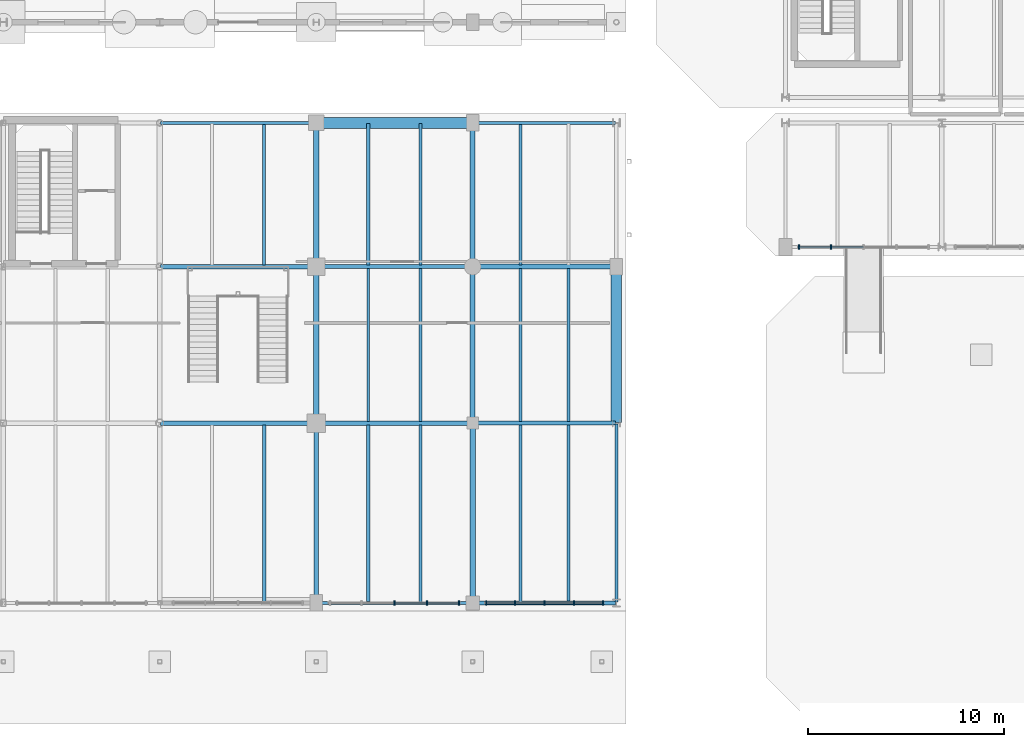
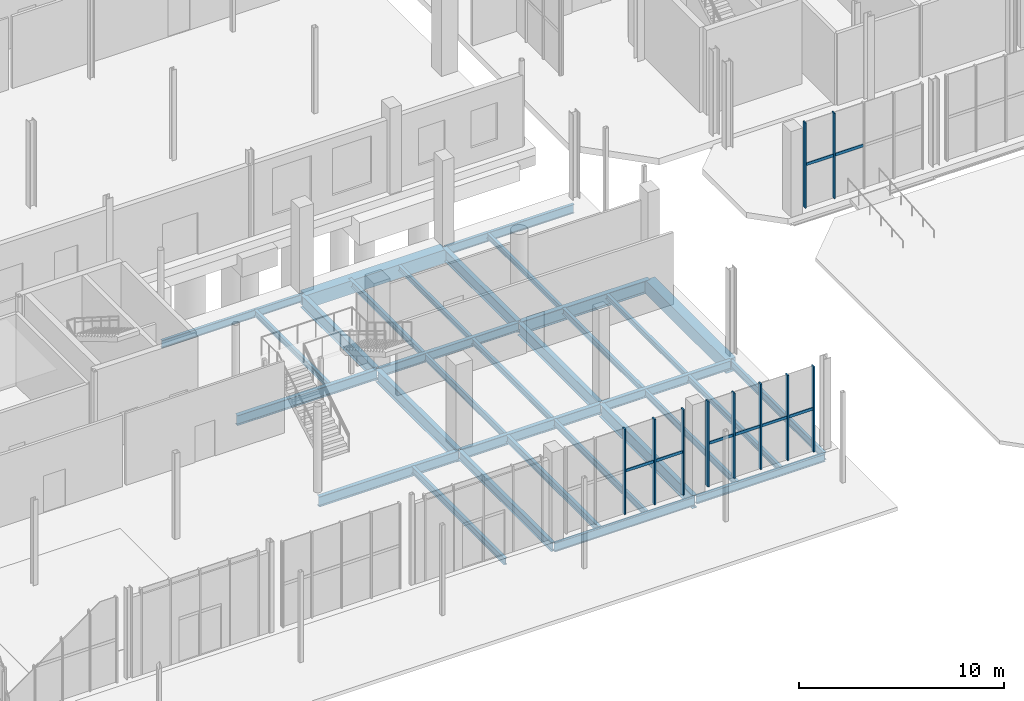
# One storey, part 36 of 87: 32 beams, 18 members, 3 elements without a shape of their own.
"""IFC4 building model written with IfcOpenShell, lengths in metres."""

from ifc_helpers import new_model, si_unit, direction, frame, origin, origin_2d, place, context, subcontext, project, spatial, rectangle, i_section, extrude, material, material_profile, profile_set, type_object, element, aggregate, save


model = new_model("IFC4")

# Units and contexts
model_context = context("Model", 3, precision=1e-05, world=origin(), true_north=direction((0.0, 1.0)))
body_context = subcontext(model_context, "Body", "Model", "MODEL_VIEW")
ifc_project = project(units=[si_unit("LENGTHUNIT", "METRE"), si_unit("AREAUNIT", "SQUARE_METRE"), si_unit("VOLUMEUNIT", "CUBIC_METRE"), si_unit("PLANEANGLEUNIT", "RADIAN"), si_unit("MASSUNIT", "GRAM", prefix="KILO")], contexts=[model_context])

# Site, building, storey
site_placement = place(None, origin())
site = spatial("IfcSite", under=ifc_project, at=site_placement, CompositionType="ELEMENT")
building_placement = place(site_placement, origin())
building = spatial("IfcBuilding", under=site, at=building_placement, Name="Brisemont Oceanarium", CompositionType="ELEMENT")
storey_placement = place(building_placement, origin())
storey = spatial("IfcBuildingStorey", under=building, at=storey_placement, Name="L00", CompositionType="ELEMENT", Elevation=0.0)

# Beams
ifc_material_1 = material(Name="Concrete C40/50", Category="concrete")
ifc_material_profile_1 = material_profile(ifc_material_1, rectangle(XDim=0.550048828125, YDim=0.800048828125, at=origin_2d()), Name="RC-BM-550X800")
ifc_profile_set_1 = profile_set([ifc_material_profile_1], Name="Concrete C40/50")
beam_type_1 = type_object("IfcBeamType", Name="BM-RC550X800", PredefinedType="SPANDREL", material=ifc_profile_set_1)
for number, where, z_axis, x_axis, name in (
    (1, (40.0400390625, 31.35009765625, -0.739990234375), (1.0, 0.0, 0.0), (0.0, 1.0, 0.0), "V2 L00 EW girder"),
    (2, (55.35009765625, 16.0400390625, -0.739990234375), (0.0, 1.0, 0.0), (-1.0, 0.0, 0.0), "V2 L00 NS girder"),
):
    element("IfcBeam", number, at=place(storey_placement, frame(where, z_axis=z_axis, x_axis=x_axis)), inside=storey, type_object=beam_type_1, Name=name, PredefinedType="SPANDREL", context=body_context, shape_type="SweptSolid", body=[
        extrude(rectangle(XDim=0.550048828125, YDim=0.800048828125, at=origin_2d()), origin(), (0.0, 0.0, 1.0), 7.919921875),
    ])
ifc_material_2 = material(Name="Structural Steel ASTM A992 Gr.50", Category="steel")
ifc_material_profile_2 = material_profile(ifc_material_2, i_section(OverallWidth=0.1650390625, OverallDepth=0.31005859375, WebThickness=0.005859375, FlangeThickness=0.009765625, FilletRadius=0.008056640625, at=origin_2d()), Name="W12X26")
ifc_profile_set_2 = profile_set([ifc_material_profile_2], Name="Structural Steel ASTM A992 Gr.50")
beam_type_2 = type_object("IfcBeamType", Name="BM-W12X26", PredefinedType="JOIST", material=ifc_profile_set_2)
beam_1_placement = place(storey_placement, frame((45.333251953125, 24.090087890625, -0.4951171875), z_axis=(0.0, 1.0, 0.0), x_axis=(-1.0, 0.0, 0.0)))
element("IfcBeam", 3, at=beam_1_placement, inside=storey, type_object=beam_type_2, Name="V2 L00 secondary floor beam", PredefinedType="JOIST", context=body_context, shape_type="SweptSolid", body=[
    extrude(i_section(OverallWidth=0.1650390625, OverallDepth=0.31005859375, WebThickness=0.005859375, FlangeThickness=0.009765625, FilletRadius=0.008056640625, at=origin_2d()), origin(), (0.0, 0.0, 1.0), 7.219970703125),
])
beam_2_placement = place(storey_placement, frame((52.89990234375, 16.090087890625, -0.4951171875), z_axis=(0.0, 1.0, 0.0), x_axis=(-1.0, 0.0, 0.0)))
element("IfcBeam", 4, at=beam_2_placement, inside=storey, type_object=beam_type_2, Name="V2 L00 secondary floor beam", PredefinedType="JOIST", context=body_context, shape_type="SweptSolid", body=[
    extrude(i_section(OverallWidth=0.1650390625, OverallDepth=0.31005859375, WebThickness=0.005859375, FlangeThickness=0.009765625, FilletRadius=0.008056640625, at=origin_2d()), origin(), (0.0, 0.0, 1.0), 7.81982421875),
])
beam_3_placement = place(storey_placement, frame((50.449951171875, 24.090087890625, -0.4951171875), z_axis=(0.0, 1.0, 0.0), x_axis=(-1.0, 0.0, 0.0)))
element("IfcBeam", 5, at=beam_3_placement, inside=storey, type_object=beam_type_2, Name="V2 L00 secondary floor beam", PredefinedType="JOIST", context=body_context, shape_type="SweptSolid", body=[
    extrude(i_section(OverallWidth=0.1650390625, OverallDepth=0.31005859375, WebThickness=0.005859375, FlangeThickness=0.009765625, FilletRadius=0.008056640625, at=origin_2d()), origin(), (0.0, 0.0, 1.0), 7.219970703125),
])
ifc_material_3 = material(Name="Structural Steel ASTM A992 Gr.50", Category="steel")
ifc_material_profile_3 = material_profile(ifc_material_3, i_section(OverallWidth=0.1708984375, OverallDepth=0.35107421875, WebThickness=0.0068359375, FlangeThickness=0.009765625, FilletRadius=0.010009765625, at=origin_2d()), Name="W14X30")
ifc_profile_set_3 = profile_set([ifc_material_profile_3], Name="Structural Steel ASTM A992 Gr.50")
beam_type_3 = type_object("IfcBeamType", Name="BM-W14X30", PredefinedType="JOIST", material=ifc_profile_set_3)
beam_4_placement = place(storey_placement, frame((37.333251953125, 24.090087890625, -0.515380859375), z_axis=(0.0, 1.0, 0.0), x_axis=(-1.0, 0.0, 0.0)))
element("IfcBeam", 6, at=beam_4_placement, inside=storey, type_object=beam_type_3, Name="V2 L00 secondary floor beam", PredefinedType="JOIST", context=body_context, shape_type="SweptSolid", body=[
    extrude(i_section(OverallWidth=0.1708984375, OverallDepth=0.35107421875, WebThickness=0.0068359375, FlangeThickness=0.009765625, FilletRadius=0.010009765625, at=origin_2d()), origin(), (0.0, 0.0, 1.0), 7.219970703125),
])
beam_5_placement = place(storey_placement, frame((45.333251953125, 16.090087890625, -0.515380859375), z_axis=(0.0, 1.0, 0.0), x_axis=(-1.0, 0.0, 0.0)))
element("IfcBeam", 7, at=beam_5_placement, inside=storey, type_object=beam_type_3, Name="V2 L00 secondary floor beam", PredefinedType="JOIST", context=body_context, shape_type="SweptSolid", body=[
    extrude(i_section(OverallWidth=0.1708984375, OverallDepth=0.35107421875, WebThickness=0.0068359375, FlangeThickness=0.009765625, FilletRadius=0.010009765625, at=origin_2d()), origin(), (0.0, 0.0, 1.0), 7.81982421875),
])
beam_6_placement = place(storey_placement, frame((42.666748046875, 24.090087890625, -0.515380859375), z_axis=(0.0, 1.0, 0.0), x_axis=(-1.0, 0.0, 0.0)))
element("IfcBeam", 8, at=beam_6_placement, inside=storey, type_object=beam_type_3, Name="V2 L00 secondary floor beam", PredefinedType="JOIST", context=body_context, shape_type="SweptSolid", body=[
    extrude(i_section(OverallWidth=0.1708984375, OverallDepth=0.35107421875, WebThickness=0.0068359375, FlangeThickness=0.009765625, FilletRadius=0.010009765625, at=origin_2d()), origin(), (0.0, 0.0, 1.0), 7.219970703125),
])
beam_7_placement = place(storey_placement, frame((52.89990234375, 6.840087890625, -0.515380859375), z_axis=(0.0, 1.0, 0.0), x_axis=(-1.0, 0.0, 0.0)))
element("IfcBeam", 9, at=beam_7_placement, inside=storey, type_object=beam_type_3, Name="V2 L00 secondary floor beam", PredefinedType="JOIST", context=body_context, shape_type="SweptSolid", body=[
    extrude(i_section(OverallWidth=0.1708984375, OverallDepth=0.35107421875, WebThickness=0.0068359375, FlangeThickness=0.009765625, FilletRadius=0.010009765625, at=origin_2d()), origin(), (0.0, 0.0, 1.0), 9.06982421875),
])
beam_8_placement = place(storey_placement, frame((50.449951171875, 16.090087890625, -0.515380859375), z_axis=(0.0, 1.0, 0.0), x_axis=(-1.0, 0.0, 0.0)))
element("IfcBeam", 10, at=beam_8_placement, inside=storey, type_object=beam_type_3, Name="V2 L00 secondary floor beam", PredefinedType="JOIST", context=body_context, shape_type="SweptSolid", body=[
    extrude(i_section(OverallWidth=0.1708984375, OverallDepth=0.35107421875, WebThickness=0.0068359375, FlangeThickness=0.009765625, FilletRadius=0.010009765625, at=origin_2d()), origin(), (0.0, 0.0, 1.0), 7.81982421875),
])
ifc_material_4 = material(Name="Structural Steel ASTM A992 Gr.50", Category="steel")
ifc_material_profile_4 = material_profile(ifc_material_4, i_section(OverallWidth=0.139892578125, OverallDepth=0.39892578125, WebThickness=0.00634765625, FlangeThickness=0.0087890625, FilletRadius=0.010009765625, at=origin_2d()), Name="W16X26")
ifc_profile_set_4 = profile_set([ifc_material_profile_4], Name="Structural Steel ASTM A992 Gr.50")
beam_type_4 = type_object("IfcBeamType", Name="BM-W16X26", PredefinedType="JOIST", material=ifc_profile_set_4)
beam_9_placement = place(storey_placement, frame((45.333251953125, 6.840087890625, -0.53955078125), z_axis=(0.0, 1.0, 0.0), x_axis=(-1.0, 0.0, 0.0)))
element("IfcBeam", 11, at=beam_9_placement, inside=storey, type_object=beam_type_4, Name="V2 L00 secondary floor beam", PredefinedType="JOIST", context=body_context, shape_type="SweptSolid", body=[
    extrude(i_section(OverallWidth=0.139892578125, OverallDepth=0.39892578125, WebThickness=0.00634765625, FlangeThickness=0.0087890625, FilletRadius=0.010009765625, at=origin_2d()), origin(), (0.0, 0.0, 1.0), 9.06982421875),
])
beam_10_placement = place(storey_placement, frame((42.666748046875, 16.090087890625, -0.53955078125), z_axis=(0.0, 1.0, 0.0), x_axis=(-1.0, 0.0, 0.0)))
element("IfcBeam", 12, at=beam_10_placement, inside=storey, type_object=beam_type_4, Name="V2 L00 secondary floor beam", PredefinedType="JOIST", context=body_context, shape_type="SweptSolid", body=[
    extrude(i_section(OverallWidth=0.139892578125, OverallDepth=0.39892578125, WebThickness=0.00634765625, FlangeThickness=0.0087890625, FilletRadius=0.010009765625, at=origin_2d()), origin(), (0.0, 0.0, 1.0), 7.81982421875),
])
beam_11_placement = place(storey_placement, frame((50.449951171875, 6.840087890625, -0.53955078125), z_axis=(0.0, 1.0, 0.0), x_axis=(-1.0, 0.0, 0.0)))
element("IfcBeam", 13, at=beam_11_placement, inside=storey, type_object=beam_type_4, Name="V2 L00 secondary floor beam", PredefinedType="JOIST", context=body_context, shape_type="SweptSolid", body=[
    extrude(i_section(OverallWidth=0.139892578125, OverallDepth=0.39892578125, WebThickness=0.00634765625, FlangeThickness=0.0087890625, FilletRadius=0.010009765625, at=origin_2d()), origin(), (0.0, 0.0, 1.0), 9.06982421875),
])
ifc_material_5 = material(Name="Structural Steel ASTM A992 Gr.50", Category="steel")
ifc_material_profile_5 = material_profile(ifc_material_5, i_section(OverallWidth=0.177978515625, OverallDepth=0.404052734375, WebThickness=0.007568359375, FlangeThickness=0.010986328125, FilletRadius=0.010009765625, at=origin_2d()), Name="W16X36")
ifc_profile_set_5 = profile_set([ifc_material_profile_5], Name="Structural Steel ASTM A992 Gr.50")
beam_type_5 = type_object("IfcBeamType", Name="BM-W16X36", PredefinedType="JOIST", material=ifc_profile_set_5)
for number, where, z_axis, x_axis, name in (
    (14, (37.333251953125, 6.840087890625, -0.5419921875), (0.0, 1.0, 0.0), (-1.0, 0.0, 0.0), "V2 L00 secondary floor beam"),
    (15, (42.666748046875, 6.840087890625, -0.5419921875), (0.0, 1.0, 0.0), (-1.0, 0.0, 0.0), "V2 L00 secondary floor beam"),
):
    element("IfcBeam", number, at=place(storey_placement, frame(where, z_axis=z_axis, x_axis=x_axis)), inside=storey, type_object=beam_type_5, Name=name, PredefinedType="JOIST", context=body_context, shape_type="SweptSolid", body=[
        extrude(i_section(OverallWidth=0.177978515625, OverallDepth=0.404052734375, WebThickness=0.007568359375, FlangeThickness=0.010986328125, FilletRadius=0.010009765625, at=origin_2d()), origin(), (0.0, 0.0, 1.0), 9.06982421875),
    ])
ifc_material_6 = material(Name="Structural Steel ASTM A992 Gr.50", Category="steel")
ifc_material_profile_6 = material_profile(ifc_material_6, i_section(OverallWidth=0.154052734375, OverallDepth=0.458984375, WebThickness=0.009033203125, FlangeThickness=0.015380859375, FilletRadius=0.010986328125, at=origin_2d()), Name="W18X46")
ifc_profile_set_6 = profile_set([ifc_material_profile_6], Name="Structural Steel ASTM A992 Gr.50")
beam_type_6 = type_object("IfcBeamType", Name="BM-W18X46", PredefinedType="SPANDREL", material=ifc_profile_set_6)
beam_12_placement = place(storey_placement, frame((32.0400390625, 31.35009765625, -0.569580078125), z_axis=(1.0, 0.0, 0.0), x_axis=(0.0, 1.0, 0.0)))
element("IfcBeam", 16, at=beam_12_placement, inside=storey, type_object=beam_type_6, Name="V2 L00 EW girder", PredefinedType="SPANDREL", context=body_context, shape_type="SweptSolid", body=[
    extrude(i_section(OverallWidth=0.154052734375, OverallDepth=0.458984375, WebThickness=0.009033203125, FlangeThickness=0.015380859375, FilletRadius=0.010986328125, at=origin_2d()), origin(), (0.0, 0.0, 1.0), 7.919921875),
])
beam_13_placement = place(storey_placement, frame((55.35009765625, 6.840087890625, -0.569580078125), z_axis=(0.0, 1.0, 0.0), x_axis=(-1.0, 0.0, 0.0)))
element("IfcBeam", 17, at=beam_13_placement, inside=storey, type_object=beam_type_6, Name="V2 L00 NS girder", PredefinedType="SPANDREL", context=body_context, shape_type="SweptSolid", body=[
    extrude(i_section(OverallWidth=0.154052734375, OverallDepth=0.458984375, WebThickness=0.009033203125, FlangeThickness=0.015380859375, FilletRadius=0.010986328125, at=origin_2d()), origin(), (0.0, 0.0, 1.0), 9.119873046875),
])
ifc_material_7 = material(Name="Structural Steel ASTM A992 Gr.50", Category="steel")
ifc_material_profile_7 = material_profile(ifc_material_7, i_section(OverallWidth=0.19091796875, OverallDepth=0.4599609375, WebThickness=0.010009765625, FlangeThickness=0.01611328125, FilletRadius=0.010986328125, at=origin_2d()), Name="W18X55")
ifc_profile_set_7 = profile_set([ifc_material_profile_7], Name="Structural Steel ASTM A992 Gr.50")
beam_type_7 = type_object("IfcBeamType", Name="BM-W18X55", PredefinedType="SPANDREL", material=ifc_profile_set_7)
beam_14_placement = place(storey_placement, frame((48.0400390625, 6.800048828125, -0.570068359375), z_axis=(1.0, 0.0, 0.0), x_axis=(0.0, 1.0, 0.0)))
element("IfcBeam", 18, at=beam_14_placement, inside=storey, type_object=beam_type_7, Name="V2 L00 EW girder", PredefinedType="SPANDREL", context=body_context, shape_type="SweptSolid", body=[
    extrude(i_section(OverallWidth=0.19091796875, OverallDepth=0.4599609375, WebThickness=0.010009765625, FlangeThickness=0.01611328125, FilletRadius=0.010986328125, at=origin_2d()), origin(), (0.0, 0.0, 1.0), 7.27001953125),
])
ifc_material_8 = material(Name="Structural Steel ASTM A992 Gr.50", Category="steel")
ifc_material_profile_8 = material_profile(ifc_material_8, i_section(OverallWidth=0.166015625, OverallDepth=0.528076171875, WebThickness=0.009765625, FlangeThickness=0.013671875, FilletRadius=0.012939453125, at=origin_2d()), Name="W21X50")
ifc_profile_set_8 = profile_set([ifc_material_profile_8], Name="Structural Steel ASTM A992 Gr.50")
beam_type_8 = type_object("IfcBeamType", Name="BM-W21X50", PredefinedType="SPANDREL", material=ifc_profile_set_8)
beam_15_placement = place(storey_placement, frame((40.0400390625, 6.800048828125, -0.60400390625), z_axis=(1.0, 0.0, 0.0), x_axis=(0.0, 1.0, 0.0)))
element("IfcBeam", 19, at=beam_15_placement, inside=storey, type_object=beam_type_8, Name="V2 L00 EW girder", PredefinedType="SPANDREL", context=body_context, shape_type="SweptSolid", body=[
    extrude(i_section(OverallWidth=0.166015625, OverallDepth=0.528076171875, WebThickness=0.009765625, FlangeThickness=0.013671875, FilletRadius=0.012939453125, at=origin_2d()), origin(), (0.0, 0.0, 1.0), 7.919921875),
])
beam_16_placement = place(storey_placement, frame((48.0400390625, 31.35009765625, -0.60400390625), z_axis=(1.0, 0.0, 0.0), x_axis=(0.0, 1.0, 0.0)))
element("IfcBeam", 20, at=beam_16_placement, inside=storey, type_object=beam_type_8, Name="V2 L00 EW girder", PredefinedType="SPANDREL", context=body_context, shape_type="SweptSolid", body=[
    extrude(i_section(OverallWidth=0.166015625, OverallDepth=0.528076171875, WebThickness=0.009765625, FlangeThickness=0.013671875, FilletRadius=0.012939453125, at=origin_2d()), origin(), (0.0, 0.0, 1.0), 7.27001953125),
])
ifc_material_9 = material(Name="Structural Steel ASTM A992 Gr.50", Category="steel")
ifc_material_profile_9 = material_profile(ifc_material_9, i_section(OverallWidth=0.2099609375, OverallDepth=0.532958984375, WebThickness=0.01025390625, FlangeThickness=0.015625, FilletRadius=0.012939453125, at=origin_2d()), Name="W21X62")
ifc_profile_set_9 = profile_set([ifc_material_profile_9], Name="Structural Steel ASTM A992 Gr.50")
beam_type_9 = type_object("IfcBeamType", Name="BM-W21X62", PredefinedType="BEAM", material=ifc_profile_set_9)
beam_17_placement = place(storey_placement, frame((48.0400390625, 16.0, -0.6064453125), z_axis=(1.0, 0.0, 0.0), x_axis=(0.0, 1.0, 0.0)))
element("IfcBeam", 21, at=beam_17_placement, inside=storey, type_object=beam_type_9, Name="V2 L00 EW girder", PredefinedType="BEAM", context=body_context, shape_type="SweptSolid", body=[
    extrude(i_section(OverallWidth=0.2099609375, OverallDepth=0.532958984375, WebThickness=0.01025390625, FlangeThickness=0.015625, FilletRadius=0.012939453125, at=origin_2d()), origin(), (0.0, 0.0, 1.0), 7.27001953125),
])
beam_18_placement = place(storey_placement, frame((40.0400390625, 24.0, -0.6064453125), z_axis=(1.0, 0.0, 0.0), x_axis=(0.0, 1.0, 0.0)))
element("IfcBeam", 22, at=beam_18_placement, inside=storey, type_object=beam_type_9, Name="V2 L00 EW girder", PredefinedType="BEAM", context=body_context, shape_type="SweptSolid", body=[
    extrude(i_section(OverallWidth=0.2099609375, OverallDepth=0.532958984375, WebThickness=0.01025390625, FlangeThickness=0.015625, FilletRadius=0.012939453125, at=origin_2d()), origin(), (0.0, 0.0, 1.0), 7.919921875),
])
beam_19_placement = place(storey_placement, frame((40.0, 6.840087890625, -0.6064453125), z_axis=(0.0, 1.0, 0.0), x_axis=(-1.0, 0.0, 0.0)))
element("IfcBeam", 23, at=beam_19_placement, inside=storey, type_object=beam_type_9, Name="V2 L00 NS girder", PredefinedType="BEAM", context=body_context, shape_type="SweptSolid", body=[
    extrude(i_section(OverallWidth=0.2099609375, OverallDepth=0.532958984375, WebThickness=0.01025390625, FlangeThickness=0.015625, FilletRadius=0.012939453125, at=origin_2d()), origin(), (0.0, 0.0, 1.0), 9.119873046875),
])
ifc_material_10 = material(Name="Structural Steel ASTM A992 Gr.50", Category="steel")
ifc_material_profile_10 = material_profile(ifc_material_10, i_section(OverallWidth=0.22802734375, OverallDepth=0.60205078125, WebThickness=0.010498046875, FlangeThickness=0.014892578125, FilletRadius=0.012939453125, at=origin_2d()), Name="W24X68")
ifc_profile_set_10 = profile_set([ifc_material_profile_10], Name="Structural Steel ASTM A992 Gr.50")
beam_type_10 = type_object("IfcBeamType", Name="BM-W24X68", PredefinedType="BEAM", material=ifc_profile_set_10)
for number, where, z_axis, x_axis, name in (
    (24, (40.0400390625, 16.0, -0.64111328125), (1.0, 0.0, 0.0), (0.0, 1.0, 0.0), "V2 L00 EW girder"),
    (25, (32.0400390625, 24.0, -0.64111328125), (1.0, 0.0, 0.0), (0.0, 1.0, 0.0), "V2 L00 EW girder"),
):
    element("IfcBeam", number, at=place(storey_placement, frame(where, z_axis=z_axis, x_axis=x_axis)), inside=storey, type_object=beam_type_10, Name=name, PredefinedType="BEAM", context=body_context, shape_type="SweptSolid", body=[
        extrude(i_section(OverallWidth=0.22802734375, OverallDepth=0.60205078125, WebThickness=0.010498046875, FlangeThickness=0.014892578125, FilletRadius=0.012939453125, at=origin_2d()), origin(), (0.0, 0.0, 1.0), 7.919921875),
    ])
ifc_material_11 = material(Name="Structural Steel ASTM A992 Gr.50", Category="steel")
ifc_material_profile_11 = material_profile(ifc_material_11, i_section(OverallWidth=0.22802734375, OverallDepth=0.60791015625, WebThickness=0.01123046875, FlangeThickness=0.017333984375, FilletRadius=0.012939453125, at=origin_2d()), Name="W24X76")
ifc_profile_set_11 = profile_set([ifc_material_profile_11], Name="Structural Steel ASTM A992 Gr.50")
beam_type_11 = type_object("IfcBeamType", Name="BM-W24X76", PredefinedType="BEAM", material=ifc_profile_set_11)
beam_20_placement = place(storey_placement, frame((32.0400390625, 16.0, -0.64404296875), z_axis=(1.0, 0.0, 0.0), x_axis=(0.0, 1.0, 0.0)))
element("IfcBeam", 26, at=beam_20_placement, inside=storey, type_object=beam_type_11, Name="V2 L00 EW girder", PredefinedType="BEAM", context=body_context, shape_type="SweptSolid", body=[
    extrude(i_section(OverallWidth=0.22802734375, OverallDepth=0.60791015625, WebThickness=0.01123046875, FlangeThickness=0.017333984375, FilletRadius=0.012939453125, at=origin_2d()), origin(), (0.0, 0.0, 1.0), 7.919921875),
])
ifc_material_12 = material(Name="Structural Steel ASTM A992 Gr.50", Category="steel")
ifc_material_profile_12 = material_profile(ifc_material_12, i_section(OverallWidth=0.25390625, OverallDepth=0.68310546875, WebThickness=0.012451171875, FlangeThickness=0.018798828125, FilletRadius=0.014892578125, at=origin_2d()), Name="W27X94")
ifc_profile_set_12 = profile_set([ifc_material_profile_12], Name="Structural Steel ASTM A992 Gr.50")
beam_type_12 = type_object("IfcBeamType", Name="BM-W27X94", PredefinedType="BEAM", material=ifc_profile_set_12)
beam_21_placement = place(storey_placement, frame((48.0, 24.0400390625, -0.681396484375), z_axis=(0.0, 1.0, 0.0), x_axis=(-1.0, 0.0, 0.0)))
element("IfcBeam", 27, at=beam_21_placement, inside=storey, type_object=beam_type_12, Name="V2 L00 NS girder", PredefinedType="BEAM", context=body_context, shape_type="SweptSolid", body=[
    extrude(i_section(OverallWidth=0.25390625, OverallDepth=0.68310546875, WebThickness=0.012451171875, FlangeThickness=0.018798828125, FilletRadius=0.014892578125, at=origin_2d()), origin(), (0.0, 0.0, 1.0), 7.27001953125),
])
ifc_material_13 = material(Name="Structural Steel ASTM A992 Gr.50", Category="steel")
ifc_material_profile_13 = material_profile(ifc_material_13, i_section(OverallWidth=0.26708984375, OverallDepth=0.761962890625, WebThickness=0.014404296875, FlangeThickness=0.021484375, FilletRadius=0.01611328125, at=origin_2d()), Name="W30X116")
ifc_profile_set_13 = profile_set([ifc_material_profile_13], Name="Structural Steel ASTM A992 Gr.50")
beam_type_13 = type_object("IfcBeamType", Name="BM-W30X116", PredefinedType="BEAM", material=ifc_profile_set_13)
beam_22_placement = place(storey_placement, frame((48.0400390625, 24.0, -0.720947265625), z_axis=(1.0, 0.0, 0.0), x_axis=(0.0, 1.0, 0.0)))
element("IfcBeam", 28, at=beam_22_placement, inside=storey, type_object=beam_type_13, Name="V2 L00 EW girder", PredefinedType="BEAM", context=body_context, shape_type="SweptSolid", body=[
    extrude(i_section(OverallWidth=0.26708984375, OverallDepth=0.761962890625, WebThickness=0.014404296875, FlangeThickness=0.021484375, FilletRadius=0.01611328125, at=origin_2d()), origin(), (0.0, 0.0, 1.0), 7.27001953125),
])
beam_23_placement = place(storey_placement, frame((40.0, 16.0400390625, -0.720947265625), z_axis=(0.0, 1.0, 0.0), x_axis=(-1.0, 0.0, 0.0)))
element("IfcBeam", 29, at=beam_23_placement, inside=storey, type_object=beam_type_13, Name="V2 L00 NS girder", PredefinedType="BEAM", context=body_context, shape_type="SweptSolid", body=[
    extrude(i_section(OverallWidth=0.26708984375, OverallDepth=0.761962890625, WebThickness=0.014404296875, FlangeThickness=0.021484375, FilletRadius=0.01611328125, at=origin_2d()), origin(), (0.0, 0.0, 1.0), 7.919921875),
])
beam_24_placement = place(storey_placement, frame((48.0, 6.840087890625, -0.720947265625), z_axis=(0.0, 1.0, 0.0), x_axis=(-1.0, 0.0, 0.0)))
element("IfcBeam", 30, at=beam_24_placement, inside=storey, type_object=beam_type_13, Name="V2 L00 NS girder", PredefinedType="BEAM", context=body_context, shape_type="SweptSolid", body=[
    extrude(i_section(OverallWidth=0.26708984375, OverallDepth=0.761962890625, WebThickness=0.014404296875, FlangeThickness=0.021484375, FilletRadius=0.01611328125, at=origin_2d()), origin(), (0.0, 0.0, 1.0), 9.119873046875),
])
ifc_material_14 = material(Name="Structural Steel ASTM A992 Gr.50", Category="steel")
ifc_material_profile_14 = material_profile(ifc_material_14, i_section(OverallWidth=0.264892578125, OverallDepth=0.7529296875, WebThickness=0.01318359375, FlangeThickness=0.01708984375, FilletRadius=0.01611328125, at=origin_2d()), Name="W30X99")
ifc_profile_set_14 = profile_set([ifc_material_profile_14], Name="Structural Steel ASTM A992 Gr.50")
beam_type_14 = type_object("IfcBeamType", Name="BM-W30X99", PredefinedType="BEAM", material=ifc_profile_set_14)
beam_25_placement = place(storey_placement, frame((40.0, 24.0400390625, -0.716552734375), z_axis=(0.0, 1.0, 0.0), x_axis=(-1.0, 0.0, 0.0)))
element("IfcBeam", 31, at=beam_25_placement, inside=storey, type_object=beam_type_14, Name="V2 L00 NS girder", PredefinedType="BEAM", context=body_context, shape_type="SweptSolid", body=[
    extrude(i_section(OverallWidth=0.264892578125, OverallDepth=0.7529296875, WebThickness=0.01318359375, FlangeThickness=0.01708984375, FilletRadius=0.01611328125, at=origin_2d()), origin(), (0.0, 0.0, 1.0), 7.27001953125),
])
beam_26_placement = place(storey_placement, frame((48.0, 16.0400390625, -0.716552734375), z_axis=(0.0, 1.0, 0.0), x_axis=(-1.0, 0.0, 0.0)))
element("IfcBeam", 32, at=beam_26_placement, inside=storey, type_object=beam_type_14, Name="V2 L00 NS girder", PredefinedType="BEAM", context=body_context, shape_type="SweptSolid", body=[
    extrude(i_section(OverallWidth=0.264892578125, OverallDepth=0.7529296875, WebThickness=0.01318359375, FlangeThickness=0.01708984375, FilletRadius=0.01611328125, at=origin_2d()), origin(), (0.0, 0.0, 1.0), 7.919921875),
])

# Curtain wall, members
ifc_material_15 = material(Name="Anodized Extruded Aluminum 6063-T6", Category="aluminium")
curtain_wall_type_1 = type_object("IfcCurtainWallType", Name="CW-POR-69X50", PredefinedType="NOTDEFINED", material=ifc_material_15)
curtain_wall_1_placement = place(storey_placement, origin())
curtain_wall_1 = element("IfcCurtainWall", 33, at=curtain_wall_1_placement, inside=storey, type_object=curtain_wall_type_1, Name="CW-19 curtain wall CW-V1P-S-L00-01", PredefinedType="NOTDEFINED")
ifc_material_16 = material(Name="Anodized Extruded Aluminum 6063-T6", Category="aluminium")
ifc_material_profile_15 = material_profile(ifc_material_16, rectangle(XDim=0.074951171875, YDim=0.219970703125, at=origin_2d()), Name="CWM-75X220")
ifc_profile_set_15 = profile_set([ifc_material_profile_15], Name="Anodized Extruded Aluminum 6063-T6")
member_type_1 = type_object("IfcMemberType", Name="MEM-CWM-75", PredefinedType="MULLION", material=ifc_profile_set_15)
member_1_placement = place(storey_placement, frame((64.695068359375, 25.0, 0.0), z_axis=(0.0, 0.0, 1.0), x_axis=(1.0, 0.0, 0.0)))
member_1 = element("IfcMember", 34, at=member_1_placement, type_object=member_type_1, Name="CW-V1P-S-L00-01 mullion 1", PredefinedType="MULLION", context=body_context, shape_type="SweptSolid", body=[
    extrude(rectangle(XDim=0.074951171875, YDim=0.219970703125, at=origin_2d()), origin(), (0.0, 0.0, 1.0), 5.10009765625),
])
member_2_placement = place(storey_placement, frame((66.324951171875, 25.0, 0.0), z_axis=(0.0, 0.0, 1.0), x_axis=(1.0, 0.0, 0.0)))
member_2 = element("IfcMember", 35, at=member_2_placement, type_object=member_type_1, Name="CW-V1P-S-L00-01 mullion 2", PredefinedType="MULLION", context=body_context, shape_type="SweptSolid", body=[
    extrude(rectangle(XDim=0.074951171875, YDim=0.219970703125, at=origin_2d()), origin(), (0.0, 0.0, 1.0), 5.10009765625),
])

ifc_material_17 = material(Name="Anodized Extruded Aluminum 6063-T6", Category="aluminium")
curtain_wall_type_2 = type_object("IfcCurtainWallType", Name="CW-HALL-69X50", PredefinedType="NOTDEFINED", material=ifc_material_17)
curtain_wall_2_placement = place(storey_placement, origin())
curtain_wall_2 = element("IfcCurtainWall", 36, at=curtain_wall_2_placement, inside=storey, type_object=curtain_wall_type_2, Name="CW-04 curtain wall CW-V2-S-L00-05", PredefinedType="NOTDEFINED")
member_3_placement = place(storey_placement, frame((44.0, 6.800048828125, 0.0), z_axis=(0.0, 0.0, 1.0), x_axis=(1.0, 0.0, 0.0)))
member_3 = element("IfcMember", 37, at=member_3_placement, type_object=member_type_1, Name="CW-V2-S-L00-05 mullion 3", PredefinedType="MULLION", context=body_context, shape_type="SweptSolid", body=[
    extrude(rectangle(XDim=0.074951171875, YDim=0.219970703125, at=origin_2d()), origin(), (0.0, 0.0, 1.0), 5.10009765625),
])
member_4_placement = place(storey_placement, frame((45.675048828125, 6.800048828125, 0.0), z_axis=(0.0, 0.0, 1.0), x_axis=(1.0, 0.0, 0.0)))
member_4 = element("IfcMember", 38, at=member_4_placement, type_object=member_type_1, Name="CW-V2-S-L00-05 mullion 4", PredefinedType="MULLION", context=body_context, shape_type="SweptSolid", body=[
    extrude(rectangle(XDim=0.074951171875, YDim=0.219970703125, at=origin_2d()), origin(), (0.0, 0.0, 1.0), 5.10009765625),
])
member_5_placement = place(storey_placement, frame((47.304931640625, 6.800048828125, 0.0), z_axis=(0.0, 0.0, 1.0), x_axis=(1.0, 0.0, 0.0)))
member_5 = element("IfcMember", 39, at=member_5_placement, type_object=member_type_1, Name="CW-V2-S-L00-05 mullion 5", PredefinedType="MULLION", context=body_context, shape_type="SweptSolid", body=[
    extrude(rectangle(XDim=0.074951171875, YDim=0.219970703125, at=origin_2d()), origin(), (0.0, 0.0, 1.0), 5.10009765625),
])

curtain_wall_3_placement = place(storey_placement, origin())
curtain_wall_3 = element("IfcCurtainWall", 40, at=curtain_wall_3_placement, inside=storey, type_object=curtain_wall_type_2, Name="CW-04 curtain wall CW-V2-S-L00-06", PredefinedType="NOTDEFINED")
member_6_placement = place(storey_placement, frame((48.695068359375, 6.800048828125, 0.0), z_axis=(0.0, 0.0, 1.0), x_axis=(1.0, 0.0, 0.0)))
member_6 = element("IfcMember", 41, at=member_6_placement, type_object=member_type_1, Name="CW-V2-S-L00-06 mullion 1", PredefinedType="MULLION", context=body_context, shape_type="SweptSolid", body=[
    extrude(rectangle(XDim=0.074951171875, YDim=0.219970703125, at=origin_2d()), origin(), (0.0, 0.0, 1.0), 5.10009765625),
])
member_7_placement = place(storey_placement, frame((50.16259765625, 6.800048828125, 0.0), z_axis=(0.0, 0.0, 1.0), x_axis=(1.0, 0.0, 0.0)))
member_7 = element("IfcMember", 42, at=member_7_placement, type_object=member_type_1, Name="CW-V2-S-L00-06 mullion 2", PredefinedType="MULLION", context=body_context, shape_type="SweptSolid", body=[
    extrude(rectangle(XDim=0.074951171875, YDim=0.219970703125, at=origin_2d()), origin(), (0.0, 0.0, 1.0), 5.10009765625),
])
member_8_placement = place(storey_placement, frame((51.675048828125, 6.800048828125, 0.0), z_axis=(0.0, 0.0, 1.0), x_axis=(1.0, 0.0, 0.0)))
member_8 = element("IfcMember", 43, at=member_8_placement, type_object=member_type_1, Name="CW-V2-S-L00-06 mullion 3", PredefinedType="MULLION", context=body_context, shape_type="SweptSolid", body=[
    extrude(rectangle(XDim=0.074951171875, YDim=0.219970703125, at=origin_2d()), origin(), (0.0, 0.0, 1.0), 5.10009765625),
])
member_9_placement = place(storey_placement, frame((53.1875, 6.800048828125, 0.0), z_axis=(0.0, 0.0, 1.0), x_axis=(1.0, 0.0, 0.0)))
member_9 = element("IfcMember", 44, at=member_9_placement, type_object=member_type_1, Name="CW-V2-S-L00-06 mullion 4", PredefinedType="MULLION", context=body_context, shape_type="SweptSolid", body=[
    extrude(rectangle(XDim=0.074951171875, YDim=0.219970703125, at=origin_2d()), origin(), (0.0, 0.0, 1.0), 5.10009765625),
])
member_10_placement = place(storey_placement, frame((54.655029296875, 6.800048828125, 0.0), z_axis=(0.0, 0.0, 1.0), x_axis=(1.0, 0.0, 0.0)))
member_10 = element("IfcMember", 45, at=member_10_placement, type_object=member_type_1, Name="CW-V2-S-L00-06 mullion 5", PredefinedType="MULLION", context=body_context, shape_type="SweptSolid", body=[
    extrude(rectangle(XDim=0.074951171875, YDim=0.219970703125, at=origin_2d()), origin(), (0.0, 0.0, 1.0), 5.10009765625),
])

# Member
ifc_material_18 = material(Name="Anodized Extruded Aluminum 6063-T6", Category="aluminium")
ifc_material_profile_16 = material_profile(ifc_material_18, rectangle(XDim=0.074951171875, YDim=0.1650390625, at=origin_2d()), Name="CWT-75X165")
ifc_profile_set_16 = profile_set([ifc_material_profile_16], Name="Anodized Extruded Aluminum 6063-T6")
member_type_2 = type_object("IfcMemberType", Name="MEM-CWT-75", PredefinedType="USERDEFINED", material=ifc_profile_set_16)
member_11_placement = place(storey_placement, frame((64.6650390625, 25.0, 2.550048828125), z_axis=(1.0, 0.0, 0.0), x_axis=(0.0, 1.0, 0.0)))
member_11 = element("IfcMember", 46, at=member_11_placement, type_object=member_type_2, Name="CW-V1P-S-L00-01 transom 1.1", ObjectType="TRANSOM", PredefinedType="USERDEFINED", context=body_context, shape_type="SweptSolid", body=[
    extrude(rectangle(XDim=0.074951171875, YDim=0.1650390625, at=origin_2d()), origin(), (0.0, 0.0, 1.0), 1.64501953125),
])

member_12_placement = place(storey_placement, frame((66.340087890625, 25.0, 2.550048828125), z_axis=(1.0, 0.0, 0.0), x_axis=(0.0, 1.0, 0.0)))
member_12 = element("IfcMember", 47, at=member_12_placement, type_object=member_type_2, Name="CW-V1P-S-L00-01 transom 2.1", ObjectType="TRANSOM", PredefinedType="USERDEFINED", context=body_context, shape_type="SweptSolid", body=[
    extrude(rectangle(XDim=0.074951171875, YDim=0.1650390625, at=origin_2d()), origin(), (0.0, 0.0, 1.0), 1.64501953125),
])

aggregate(curtain_wall_1, [member_1, member_2, member_11, member_12])

member_13_placement = place(storey_placement, frame((44.014892578125, 6.800048828125, 2.550048828125), z_axis=(1.0, 0.0, 0.0), x_axis=(0.0, 1.0, 0.0)))
member_13 = element("IfcMember", 48, at=member_13_placement, type_object=member_type_2, Name="CW-V2-S-L00-05 transom 3.1", ObjectType="TRANSOM", PredefinedType="USERDEFINED", context=body_context, shape_type="SweptSolid", body=[
    extrude(rectangle(XDim=0.074951171875, YDim=0.1650390625, at=origin_2d()), origin(), (0.0, 0.0, 1.0), 1.64501953125),
])

member_14_placement = place(storey_placement, frame((45.68994140625, 6.800048828125, 2.550048828125), z_axis=(1.0, 0.0, 0.0), x_axis=(0.0, 1.0, 0.0)))
member_14 = element("IfcMember", 49, at=member_14_placement, type_object=member_type_2, Name="CW-V2-S-L00-05 transom 4.1", ObjectType="TRANSOM", PredefinedType="USERDEFINED", context=body_context, shape_type="SweptSolid", body=[
    extrude(rectangle(XDim=0.074951171875, YDim=0.1650390625, at=origin_2d()), origin(), (0.0, 0.0, 1.0), 1.64501953125),
])

aggregate(curtain_wall_2, [member_3, member_4, member_5, member_13, member_14])

member_15_placement = place(storey_placement, frame((48.6650390625, 6.800048828125, 2.550048828125), z_axis=(1.0, 0.0, 0.0), x_axis=(0.0, 1.0, 0.0)))
member_15 = element("IfcMember", 50, at=member_15_placement, type_object=member_type_2, Name="CW-V2-S-L00-06 transom 1.1", ObjectType="TRANSOM", PredefinedType="USERDEFINED", context=body_context, shape_type="SweptSolid", body=[
    extrude(rectangle(XDim=0.074951171875, YDim=0.1650390625, at=origin_2d()), origin(), (0.0, 0.0, 1.0), 1.482421875),
])

member_16_placement = place(storey_placement, frame((50.177490234375, 6.800048828125, 2.550048828125), z_axis=(1.0, 0.0, 0.0), x_axis=(0.0, 1.0, 0.0)))
member_16 = element("IfcMember", 51, at=member_16_placement, type_object=member_type_2, Name="CW-V2-S-L00-06 transom 2.1", ObjectType="TRANSOM", PredefinedType="USERDEFINED", context=body_context, shape_type="SweptSolid", body=[
    extrude(rectangle(XDim=0.074951171875, YDim=0.1650390625, at=origin_2d()), origin(), (0.0, 0.0, 1.0), 1.482421875),
])

member_17_placement = place(storey_placement, frame((51.68994140625, 6.800048828125, 2.550048828125), z_axis=(1.0, 0.0, 0.0), x_axis=(0.0, 1.0, 0.0)))
member_17 = element("IfcMember", 52, at=member_17_placement, type_object=member_type_2, Name="CW-V2-S-L00-06 transom 3.1", ObjectType="TRANSOM", PredefinedType="USERDEFINED", context=body_context, shape_type="SweptSolid", body=[
    extrude(rectangle(XDim=0.074951171875, YDim=0.1650390625, at=origin_2d()), origin(), (0.0, 0.0, 1.0), 1.482666015625),
])

member_18_placement = place(storey_placement, frame((53.202392578125, 6.800048828125, 2.550048828125), z_axis=(1.0, 0.0, 0.0), x_axis=(0.0, 1.0, 0.0)))
member_18 = element("IfcMember", 53, at=member_18_placement, type_object=member_type_2, Name="CW-V2-S-L00-06 transom 4.1", ObjectType="TRANSOM", PredefinedType="USERDEFINED", context=body_context, shape_type="SweptSolid", body=[
    extrude(rectangle(XDim=0.074951171875, YDim=0.1650390625, at=origin_2d()), origin(), (0.0, 0.0, 1.0), 1.482666015625),
])

aggregate(curtain_wall_3, [member_6, member_7, member_8, member_9, member_10, member_15, member_16, member_17, member_18])

save(model, "model.ifc")
